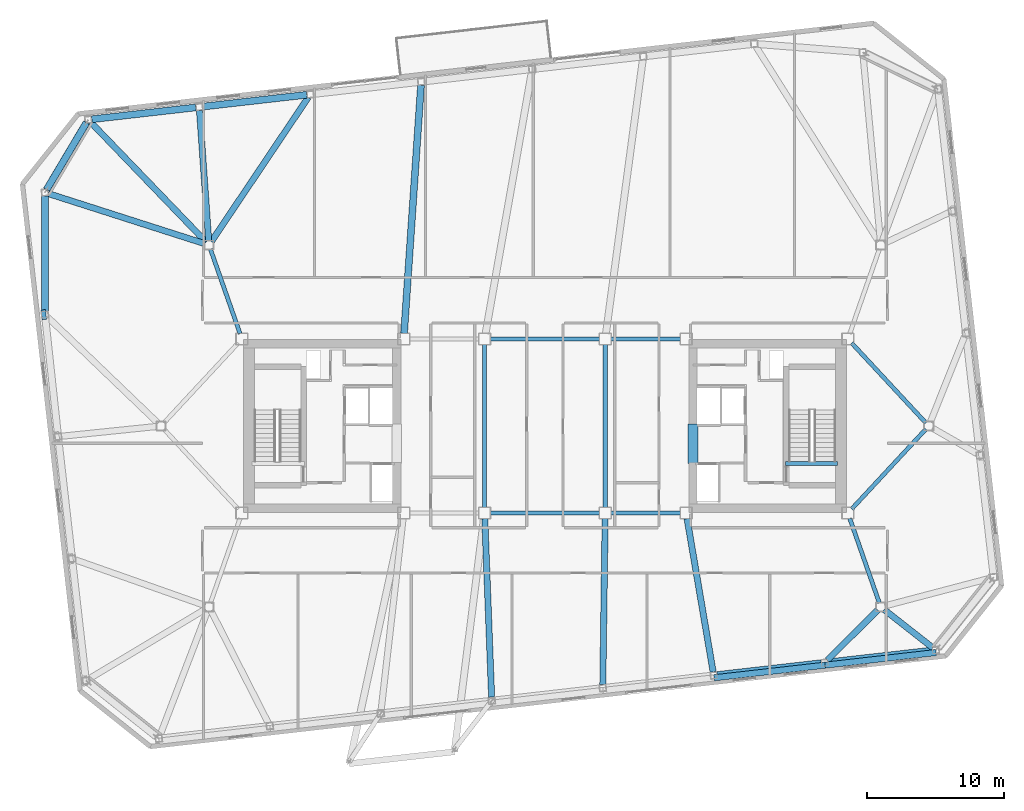
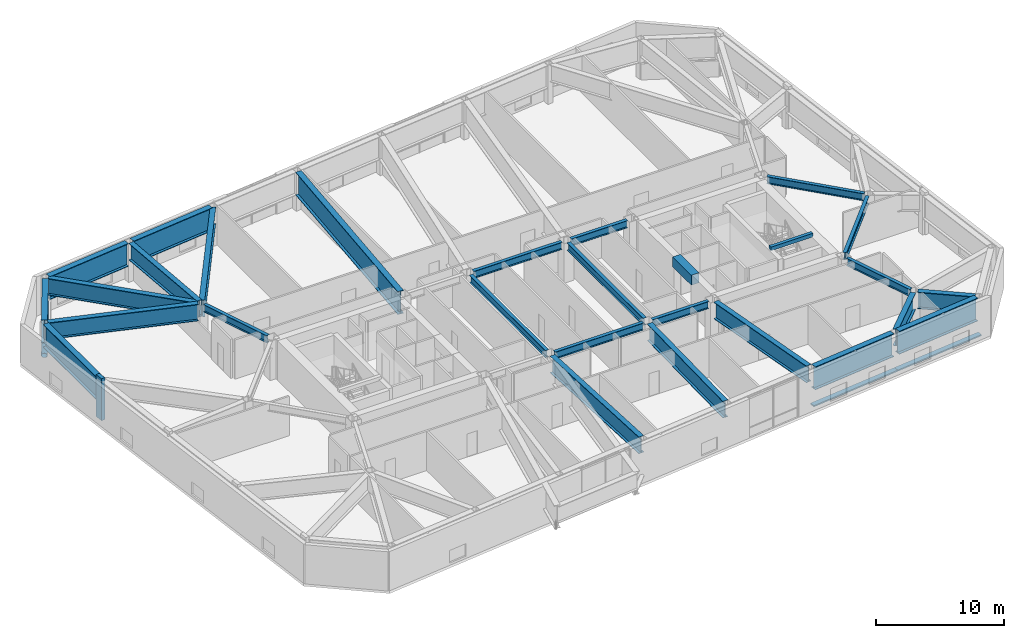
# One storey, part 7 of 20: 28 beams, 4 members.
"""IFC4 building model written with IfcOpenShell, lengths in metres."""

from ifc_helpers import new_model, si_unit, direction, frame, origin, origin_2d, place, context, subcontext, project, spatial, rectangle, hollow_circle, i_section, extrude, material, material_profile, profile_set, type_object, element, save


model = new_model("IFC4")

# Units and contexts
model_context = context("Model", 3, precision=1e-05, world=origin(), true_north=direction((0.0, 1.0)))
body_context = subcontext(model_context, "Body", "Model", "MODEL_VIEW")
ifc_project = project(units=[si_unit("LENGTHUNIT", "METRE"), si_unit("AREAUNIT", "SQUARE_METRE"), si_unit("VOLUMEUNIT", "CUBIC_METRE"), si_unit("PLANEANGLEUNIT", "RADIAN"), si_unit("MASSUNIT", "GRAM", prefix="KILO")], contexts=[model_context])

# Site, building, storey
site_placement = place(None, origin())
site = spatial("IfcSite", under=ifc_project, at=site_placement, CompositionType="ELEMENT")
building_placement = place(site_placement, origin())
building = spatial("IfcBuilding", under=site, at=building_placement, Name="Tavrogorsk Clinical Tower", CompositionType="ELEMENT")
storey_placement = place(building_placement, frame((0.0, 0.0, 214.199951171875)))
storey = spatial("IfcBuildingStorey", under=building, at=storey_placement, Name="L49", CompositionType="ELEMENT", Elevation=214.199951171875)

# Members
ifc_material_1 = material(Name="Anodised aluminium alloy AW-6063", Category="aluminium")
ifc_material_profile_1 = material_profile(ifc_material_1, rectangle(XDim=0.449951171875, YDim=0.1201171875, at=origin_2d()), Name="ALU-SUNSHADE-450x120")
ifc_profile_set_1 = profile_set([ifc_material_profile_1], Name="Anodised aluminium alloy AW-6063")
member_type_1 = type_object("IfcMemberType", Name="ChicagoSunshade_450x120", PredefinedType="USERDEFINED", material=ifc_profile_set_1)
for number, where, z_axis, x_axis, name in (
    (1, (12.336669921875, -18.369140625, 0.179931640625), (0.99356960656, 0.11322295227, 0.0), (-0.11322295227, 0.99356960656, 0.0), "L49 South Aluminium Sunshade S6"),
    (2, (20.432861328125, -17.446533203125, 0.179931640625), (0.9935729766, 0.113193375116, 0.0), (-0.113193375116, 0.9935729766, 0.0), "L49 South Aluminium Sunshade S7"),
):
    element("IfcMember", number, at=place(storey_placement, frame(where, z_axis=z_axis, x_axis=x_axis)), inside=storey, type_object=member_type_1, Name=name, ObjectType="SUNSHADE", PredefinedType="USERDEFINED", context=body_context, shape_type="SweptSolid", body=[
        extrude(rectangle(XDim=0.449951171875, YDim=0.1201171875, at=origin_2d()), origin(), (0.0, 0.0, 1.0), 8.148681640625),
    ])

# Beam
ifc_material_2 = material(Name="Concrete B80", Category="concrete")
ifc_material_profile_2 = material_profile(ifc_material_2, rectangle(XDim=0.699951171875, YDim=0.949951171875, at=origin_2d()), Name="RC-CB-700x950")
ifc_profile_set_2 = profile_set([ifc_material_profile_2], Name="Concrete B80")
beam_type_1 = type_object("IfcBeamType", Name="CouplingBeam_RC700x950", PredefinedType="LINTEL", material=ifc_profile_set_2)
beam_1_placement = place(storey_placement, frame((10.800048828125, -2.75, 3.26513671875), z_axis=(0.0, 1.0, 0.0), x_axis=(-1.0, 0.0, 0.0)))
element("IfcBeam", 3, at=beam_1_placement, inside=storey, type_object=beam_type_1, Name="L49 Core East Coupling Beam", PredefinedType="LINTEL", context=body_context, shape_type="SweptSolid", body=[
    extrude(rectangle(XDim=0.699951171875, YDim=0.949951171875, at=origin_2d()), origin(), (0.0, 0.0, 1.0), 2.89990234375),
])

# Members
ifc_material_3 = material(Name="Structural steel S440", Category="steel")
ifc_material_profile_3 = material_profile(ifc_material_3, hollow_circle(Radius=0.25390625, WallThickness=0.02001953125, at=origin_2d()), Name="CHS-508x20")
ifc_profile_set_3 = profile_set([ifc_material_profile_3], Name="Structural steel S440")
member_type_2 = type_object("IfcMemberType", Name="ExoBrace_CHS508", PredefinedType="BRACE", material=ifc_profile_set_3)
member_1_placement = place(storey_placement, frame((-36.34033203125, 17.250732421875, 0.348876953125), z_axis=(0.502156936652, 0.843870359768, 0.1890006002), x_axis=(-0.859358604134, 0.511373434489, 0.0)))
element("IfcMember", 4, at=member_1_placement, inside=storey, type_object=member_type_2, Name="L49 Corner Exoskeleton Brace N8-W1", PredefinedType="BRACE", context=body_context, shape_type="SweptSolid", body=[
    extrude(hollow_circle(Radius=0.25390625, WallThickness=0.02001953125, at=origin_2d()), origin(), (0.0, 0.0, 1.0), 5.779296875),
])
ifc_material_4 = material(Name="Precast concrete B45 with limestone cladding", Category="masonry")
ifc_material_profile_4 = material_profile(ifc_material_4, rectangle(XDim=0.320068359375, YDim=0.719970703125, at=origin_2d()), Name="LIMESTONE-FIN-320x720")
ifc_profile_set_4 = profile_set([ifc_material_profile_4], Name="Precast concrete B45 with limestone cladding")
member_type_3 = type_object("IfcMemberType", Name="LimestonePleatFin_320x720", PredefinedType="USERDEFINED", material=ifc_profile_set_4)
member_2_placement = place(storey_placement, frame((-36.549560546875, 8.121337890625, 0.0), z_axis=(0.0, 0.0, 1.0), x_axis=(0.993571855677, 0.113203213768, 0.0)))
element("IfcMember", 5, at=member_2_placement, inside=storey, type_object=member_type_3, Name="L49 W Pleated Stone Fin 1", ObjectType="FIN", PredefinedType="USERDEFINED", context=body_context, shape_type="SweptSolid", body=[
    extrude(rectangle(XDim=0.320068359375, YDim=0.719970703125, at=origin_2d()), origin(), (0.0, 0.0, 1.0), 4.0),
])

# Beams
ifc_material_5 = material(Name="Structural steel S390", Category="steel")
ifc_material_profile_5 = material_profile(ifc_material_5, i_section(OverallWidth=0.300048828125, OverallDepth=0.699951171875, WebThickness=0.01708984375, FlangeThickness=0.028076171875, at=origin_2d()), Name="B-700x300x17x28")
ifc_profile_set_5 = profile_set([ifc_material_profile_5], Name="Structural steel S390")
beam_type_2 = type_object("IfcBeamType", Name="PrimaryGirder_B700", PredefinedType="USERDEFINED", material=ifc_profile_set_5)
for number, where, z_axis, x_axis, name in (
    (6, (-3.989990234375, -6.35009765625, 3.39013671875), (1.0, 0.0, 0.0), (0.0, 1.0, 0.0), "L49 Primary Spine Girder MG-03"),
    (7, (-3.989990234375, 6.35009765625, 3.39013671875), (1.0, 0.0, 0.0), (0.0, 1.0, 0.0), "L49 Primary Spine Girder MG-04"),
):
    element("IfcBeam", number, at=place(storey_placement, frame(where, z_axis=z_axis, x_axis=x_axis)), inside=storey, type_object=beam_type_2, Name=name, ObjectType="GIRDER", PredefinedType="USERDEFINED", context=body_context, shape_type="SweptSolid", body=[
        extrude(i_section(OverallWidth=0.300048828125, OverallDepth=0.699951171875, WebThickness=0.01708984375, FlangeThickness=0.028076171875, at=origin_2d()), origin(), (0.0, 0.0, 1.0), 7.97998046875),
    ])
for number, where, z_axis, x_axis, name in (
    (8, (4.81005859375, -6.35009765625, 3.39013671875), (1.0, 0.0, 0.0), (0.0, 1.0, 0.0), "L49 Primary Spine Girder MG-05"),
    (9, (4.81005859375, 6.35009765625, 3.39013671875), (1.0, 0.0, 0.0), (0.0, 1.0, 0.0), "L49 Primary Spine Girder MG-06"),
):
    element("IfcBeam", number, at=place(storey_placement, frame(where, z_axis=z_axis, x_axis=x_axis)), inside=storey, type_object=beam_type_2, Name=name, ObjectType="GIRDER", PredefinedType="USERDEFINED", context=body_context, shape_type="SweptSolid", body=[
        extrude(i_section(OverallWidth=0.300048828125, OverallDepth=0.699951171875, WebThickness=0.01708984375, FlangeThickness=0.028076171875, at=origin_2d()), origin(), (0.0, 0.0, 1.0), 5.079833984375),
    ])
for number, where, z_axis, x_axis, name in (
    (10, (-4.39990234375, -5.93994140625, 3.39013671875), (0.0, 1.0, 0.0), (-1.0, 0.0, 0.0), "L49 Primary Spine Girder MG-07"),
    (11, (4.39990234375, -5.93994140625, 3.39013671875), (0.0, 1.0, 0.0), (-1.0, 0.0, 0.0), "L49 Primary Spine Girder MG-08"),
):
    element("IfcBeam", number, at=place(storey_placement, frame(where, z_axis=z_axis, x_axis=x_axis)), inside=storey, type_object=beam_type_2, Name=name, ObjectType="GIRDER", PredefinedType="USERDEFINED", context=body_context, shape_type="SweptSolid", body=[
        extrude(i_section(OverallWidth=0.300048828125, OverallDepth=0.699951171875, WebThickness=0.01708984375, FlangeThickness=0.028076171875, at=origin_2d()), origin(), (0.0, 0.0, 1.0), 11.8798828125),
    ])
for number, where, z_axis, x_axis, name in (
    (12, (24.3974609375, -12.907470703125, 3.39013671875), (-0.33065312634, 0.94375235631, 0.0), (-0.94375235631, -0.33065312634, 0.0), "L49 Spine Link Girder OPG-2"),
    (13, (-24.3974609375, 12.907470703125, 3.39013671875), (0.33065312634, -0.94375235631, 0.0), (0.94375235631, 0.33065312634, 0.0), "L49 Spine Link Girder OPG-3"),
):
    element("IfcBeam", number, at=place(storey_placement, frame(where, z_axis=z_axis, x_axis=x_axis)), inside=storey, type_object=beam_type_2, Name=name, ObjectType="GIRDER", PredefinedType="USERDEFINED", context=body_context, shape_type="SweptSolid", body=[
        extrude(i_section(OverallWidth=0.300048828125, OverallDepth=0.699951171875, WebThickness=0.01708984375, FlangeThickness=0.028076171875, at=origin_2d()), origin(), (0.0, 0.0, 1.0), 6.5380859375),
    ])
for number, where, z_axis, x_axis, name in (
    (14, (27.7890625, -0.22705078125, 3.39013671875), (-0.680673750312, -0.732586681312, 0.0), (0.732586681312, -0.680673750312, 0.0), "L49 Spine Link Girder OPG-7"),
    (15, (27.7890625, 0.22705078125, 3.39013671875), (-0.680673750312, 0.732586681312, 0.0), (-0.732586681312, -0.680673750312, 0.0), "L49 Spine Link Girder OPG-8"),
):
    element("IfcBeam", number, at=place(storey_placement, frame(where, z_axis=z_axis, x_axis=x_axis)), inside=storey, type_object=beam_type_2, Name=name, ObjectType="GIRDER", PredefinedType="USERDEFINED", context=body_context, shape_type="SweptSolid", body=[
        extrude(i_section(OverallWidth=0.300048828125, OverallDepth=0.699951171875, WebThickness=0.01708984375, FlangeThickness=0.028076171875, at=origin_2d()), origin(), (0.0, 0.0, 1.0), 7.947998046875),
    ])
ifc_material_6 = material(Name="Concrete B60", Category="concrete")
ifc_material_profile_6 = material_profile(ifc_material_6, rectangle(XDim=0.300048828125, YDim=0.35009765625, at=origin_2d()), Name="RC-SHB-300x350")
ifc_profile_set_6 = profile_set([ifc_material_profile_6], Name="Concrete B60")
beam_type_3 = type_object("IfcBeamType", Name="StairHeaderBeam_RC300x350", PredefinedType="BEAM", material=ifc_profile_set_6)
beam_2_placement = place(storey_placement, frame((17.550048828125, -2.719970703125, 3.824951171875), z_axis=(1.0, 0.0, 0.0), x_axis=(0.0, 1.0, 0.0)))
element("IfcBeam", 16, at=beam_2_placement, inside=storey, type_object=beam_type_3, Name="L50 ST-E Landing Header Beam", PredefinedType="BEAM", context=body_context, shape_type="SweptSolid", body=[
    extrude(rectangle(XDim=0.300048828125, YDim=0.35009765625, at=origin_2d()), origin(), (0.0, 0.0, 1.0), 3.800048828125),
])
ifc_material_7 = material(Name="Structural steel S440", Category="steel")
ifc_material_profile_7 = material_profile(ifc_material_7, i_section(OverallWidth=0.449951171875, OverallDepth=1.60009765625, WebThickness=0.031982421875, FlangeThickness=0.050048828125, at=origin_2d()), Name="DK-1600x450x32x50")
ifc_profile_set_7 = profile_set([ifc_material_profile_7], Name="Structural steel S440")
beam_type_4 = type_object("IfcBeamType", Name="TransferGirder_DK1600", PredefinedType="USERDEFINED", material=ifc_profile_set_7)
beam_3_placement = place(storey_placement, frame((-4.38427734375, -6.759765625, 2.93994140625), z_axis=(0.038250307093, -0.99926818923, 0.0), x_axis=(0.99926818923, 0.038250307093, 0.0)))
element("IfcBeam", 17, at=beam_3_placement, inside=storey, type_object=beam_type_4, Name="L49 Radial Floor Beam S4", ObjectType="GIRDER", PredefinedType="USERDEFINED", context=body_context, shape_type="SweptSolid", body=[
    extrude(i_section(OverallWidth=0.449951171875, OverallDepth=1.60009765625, WebThickness=0.031982421875, FlangeThickness=0.050048828125, at=origin_2d()), origin(), (0.0, 0.0, 1.0), 13.027099609375),
])
beam_4_placement = place(storey_placement, frame((4.394287109375, -6.760009765625, 2.93994140625), z_axis=(-0.014108405926, -0.999900471488, 0.0), x_axis=(0.999900471488, -0.014108405926, 0.0)))
element("IfcBeam", 18, at=beam_4_placement, inside=storey, type_object=beam_type_4, Name="L49 Radial Floor Beam S5", ObjectType="GIRDER", PredefinedType="USERDEFINED", context=body_context, shape_type="SweptSolid", body=[
    extrude(i_section(OverallWidth=0.449951171875, OverallDepth=1.60009765625, WebThickness=0.031982421875, FlangeThickness=0.050048828125, at=origin_2d()), origin(), (0.0, 0.0, 1.0), 12.095947265625),
])
beam_5_placement = place(storey_placement, frame((10.368896484375, -6.754150390625, 2.93994140625), z_axis=(0.167863881121, -0.985810183258, 0.0), x_axis=(0.985810183258, 0.167863881121, 0.0)))
element("IfcBeam", 19, at=beam_5_placement, inside=storey, type_object=beam_type_4, Name="L49 Radial Floor Beam S6", ObjectType="GIRDER", PredefinedType="USERDEFINED", context=body_context, shape_type="SweptSolid", body=[
    extrude(i_section(OverallWidth=0.449951171875, OverallDepth=1.60009765625, WebThickness=0.031982421875, FlangeThickness=0.050048828125, at=origin_2d()), origin(), (0.0, 0.0, 1.0), 11.3427734375),
])
beam_6_placement = place(storey_placement, frame((24.2802734375, -13.418701171875, 2.93994140625), z_axis=(-0.708842234901, -0.705367057652, 0.0), x_axis=(0.705367057652, -0.708842234901, 0.0)))
element("IfcBeam", 20, at=beam_6_placement, inside=storey, type_object=beam_type_4, Name="L49 Radial Floor Beam S7", ObjectType="GIRDER", PredefinedType="USERDEFINED", context=body_context, shape_type="SweptSolid", body=[
    extrude(i_section(OverallWidth=0.449951171875, OverallDepth=1.60009765625, WebThickness=0.031982421875, FlangeThickness=0.050048828125, at=origin_2d()), origin(), (0.0, 0.0, 1.0), 5.19873046875),
])
beam_7_placement = place(storey_placement, frame((24.743896484375, -13.391357421875, 2.93994140625), z_axis=(0.786731711527, -0.617295078611, 0.0), x_axis=(0.617295078611, 0.786731711527, 0.0)))
element("IfcBeam", 21, at=beam_7_placement, inside=storey, type_object=beam_type_4, Name="L49 Radial Floor Beam S8", ObjectType="GIRDER", PredefinedType="USERDEFINED", context=body_context, shape_type="SweptSolid", body=[
    extrude(i_section(OverallWidth=0.449951171875, OverallDepth=1.60009765625, WebThickness=0.031982421875, FlangeThickness=0.050048828125, at=origin_2d()), origin(), (0.0, 0.0, 1.0), 4.52734375),
])
beam_8_placement = place(storey_placement, frame((-24.3271484375, 13.457275390625, 2.93994140625), z_axis=(0.557666552953, 0.830065067159, 0.0), x_axis=(-0.830065067159, 0.557666552953, 0.0)))
element("IfcBeam", 22, at=beam_8_placement, inside=storey, type_object=beam_type_4, Name="L49 Radial Floor Beam N6", ObjectType="GIRDER", PredefinedType="USERDEFINED", context=body_context, shape_type="SweptSolid", body=[
    extrude(i_section(OverallWidth=0.449951171875, OverallDepth=1.60009765625, WebThickness=0.031982421875, FlangeThickness=0.050048828125, at=origin_2d()), origin(), (0.0, 0.0, 1.0), 12.67236328125),
])
beam_9_placement = place(storey_placement, frame((-24.52197265625, 13.50927734375, 2.93994140625), z_axis=(-0.070563956086, 0.997507257167, 0.0), x_axis=(-0.997507257167, -0.070563956086, 0.0)))
element("IfcBeam", 23, at=beam_9_placement, inside=storey, type_object=beam_type_4, Name="L49 Radial Floor Beam N7", ObjectType="GIRDER", PredefinedType="USERDEFINED", context=body_context, shape_type="SweptSolid", body=[
    extrude(i_section(OverallWidth=0.449951171875, OverallDepth=1.60009765625, WebThickness=0.031982421875, FlangeThickness=0.050048828125, at=origin_2d()), origin(), (0.0, 0.0, 1.0), 9.52490234375),
])
beam_10_placement = place(storey_placement, frame((-24.715087890625, 13.42333984375, 2.93994140625), z_axis=(-0.69371826835, 0.720246460704, 0.0), x_axis=(-0.720246460704, -0.69371826835, 0.0)))
element("IfcBeam", 24, at=beam_10_placement, inside=storey, type_object=beam_type_4, Name="L49 Radial Floor Beam N8", ObjectType="GIRDER", PredefinedType="USERDEFINED", context=body_context, shape_type="SweptSolid", body=[
    extrude(i_section(OverallWidth=0.449951171875, OverallDepth=1.60009765625, WebThickness=0.031982421875, FlangeThickness=0.050048828125, at=origin_2d()), origin(), (0.0, 0.0, 1.0), 12.129638671875),
])
beam_11_placement = place(storey_placement, frame((-24.795166015625, 13.29443359375, 2.93994140625), z_axis=(-0.952367912824, 0.304951403709, 0.0), x_axis=(-0.304951403709, -0.952367912824, 0.0)))
element("IfcBeam", 25, at=beam_11_placement, inside=storey, type_object=beam_type_4, Name="L49 Radial Floor Beam W1", ObjectType="GIRDER", PredefinedType="USERDEFINED", context=body_context, shape_type="SweptSolid", body=[
    extrude(i_section(OverallWidth=0.449951171875, OverallDepth=1.60009765625, WebThickness=0.031982421875, FlangeThickness=0.050048828125, at=origin_2d()), origin(), (0.0, 0.0, 1.0), 12.000732421875),
])
ifc_material_8 = material(Name="Structural steel S440", Category="steel")
ifc_material_profile_8 = material_profile(ifc_material_8, i_section(OverallWidth=0.5, OverallDepth=2.199951171875, WebThickness=0.035888671875, FlangeThickness=0.054931640625, at=origin_2d()), Name="DK-2200x500x36x55")
ifc_profile_set_8 = profile_set([ifc_material_profile_8], Name="Structural steel S440")
beam_type_5 = type_object("IfcBeamType", Name="TransferGirder_DK2200", PredefinedType="USERDEFINED", material=ifc_profile_set_8)
beam_12_placement = place(storey_placement, frame((12.57275390625, -18.1611328125, 2.64013671875), z_axis=(0.993571689921, 0.113204668576, 0.0), x_axis=(-0.113204668576, 0.993571689921, 0.0)))
element("IfcBeam", 26, at=beam_12_placement, inside=storey, type_object=beam_type_5, Name="L49 Perimeter Spandrel S6-S7", ObjectType="GIRDER", PredefinedType="USERDEFINED", context=body_context, shape_type="SweptSolid", body=[
    extrude(i_section(OverallWidth=0.5, OverallDepth=2.199951171875, WebThickness=0.035888671875, FlangeThickness=0.054931640625, at=origin_2d()), origin(), (0.0, 0.0, 1.0), 7.63232421875),
])
for number, where, z_axis, x_axis, name in (
    (27, (20.668701171875, -17.238525390625, 2.64013671875), (0.993572099834, 0.113201070804, 0.0), (-0.113201070804, 0.993572099834, 0.0), "L49 Perimeter Spandrel S7-S8"),
    (28, (-17.37255859375, 24.1611328125, 2.64013671875), (-0.993572099834, -0.113201070804, 0.0), (0.113201070804, -0.993572099834, 0.0), "L49 Perimeter Spandrel N6-N7"),
    (29, (-25.46875, 23.238525390625, 2.64013671875), (-0.993572099834, -0.113201070804, 0.0), (0.113201070804, -0.993572099834, 0.0), "L49 Perimeter Spandrel N7-N8"),
):
    element("IfcBeam", number, at=place(storey_placement, frame(where, z_axis=z_axis, x_axis=x_axis)), inside=storey, type_object=beam_type_5, Name=name, ObjectType="GIRDER", PredefinedType="USERDEFINED", context=body_context, shape_type="SweptSolid", body=[
        extrude(i_section(OverallWidth=0.5, OverallDepth=2.199951171875, WebThickness=0.035888671875, FlangeThickness=0.054931640625, at=origin_2d()), origin(), (0.0, 0.0, 1.0), 7.632568359375),
    ])
beam_13_placement = place(storey_placement, frame((-33.4404296875, 22.123779296875, 2.64013671875), z_axis=(-0.51140659222, -0.859338872293, 0.0), x_axis=(0.859338872293, -0.51140659222, 0.0)))
element("IfcBeam", 30, at=beam_13_placement, inside=storey, type_object=beam_type_5, Name="L49 Perimeter Spandrel N8-W1", ObjectType="GIRDER", PredefinedType="USERDEFINED", context=body_context, shape_type="SweptSolid", body=[
    extrude(i_section(OverallWidth=0.5, OverallDepth=2.199951171875, WebThickness=0.035888671875, FlangeThickness=0.054931640625, at=origin_2d()), origin(), (0.0, 0.0, 1.0), 5.666259765625),
])
beam_14_placement = place(storey_placement, frame((-36.469970703125, 16.77490234375, 2.64013671875), z_axis=(0.0, -1.0, 0.0), x_axis=(1.0, 0.0, 0.0)))
element("IfcBeam", 31, at=beam_14_placement, inside=storey, type_object=beam_type_5, Name="L49 Perimeter Spandrel W1-W2", ObjectType="GIRDER", PredefinedType="USERDEFINED", context=body_context, shape_type="SweptSolid", body=[
    extrude(i_section(OverallWidth=0.5, OverallDepth=2.199951171875, WebThickness=0.035888671875, FlangeThickness=0.054931640625, at=origin_2d()), origin(), (0.0, 0.0, 1.0), 8.386474609375),
])
beam_15_placement = place(storey_placement, frame((-10.272216796875, 6.759033203125, 2.64013671875), z_axis=(0.068067126101, 0.997680743697, 0.0), x_axis=(-0.997680743697, 0.068067126101, 0.0)))
element("IfcBeam", 32, at=beam_15_placement, inside=storey, type_object=beam_type_5, Name="L49 Radial Floor Beam N5", ObjectType="GIRDER", PredefinedType="USERDEFINED", context=body_context, shape_type="SweptSolid", body=[
    extrude(i_section(OverallWidth=0.5, OverallDepth=2.199951171875, WebThickness=0.035888671875, FlangeThickness=0.054931640625, at=origin_2d()), origin(), (0.0, 0.0, 1.0), 18.13818359375),
])

save(model, "model.ifc")
